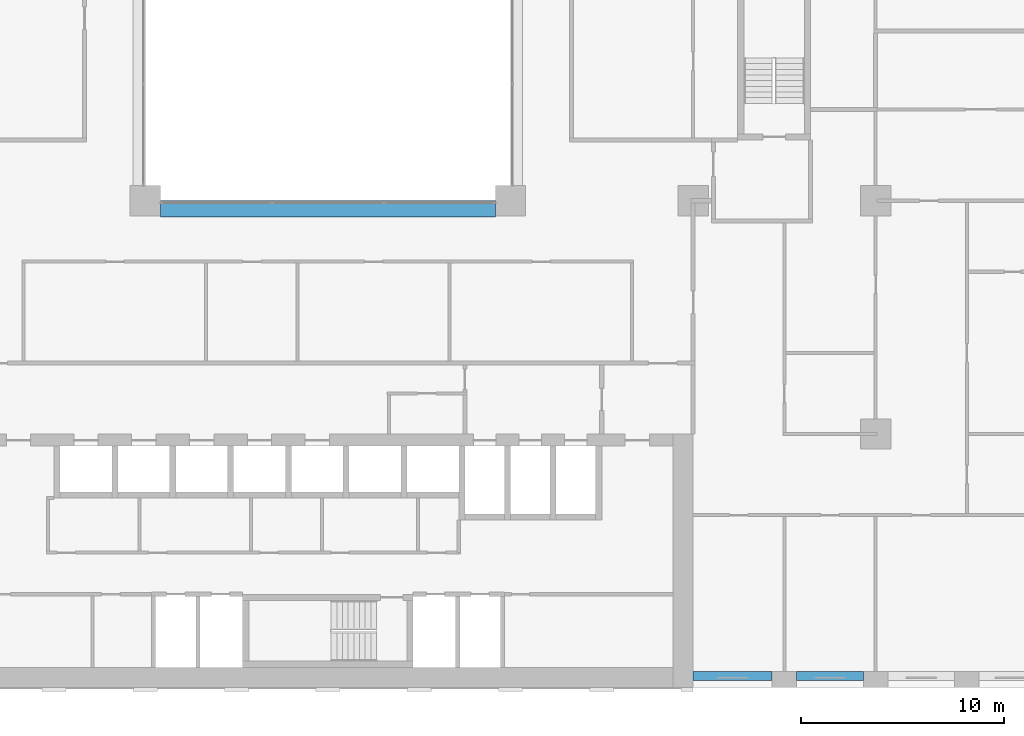
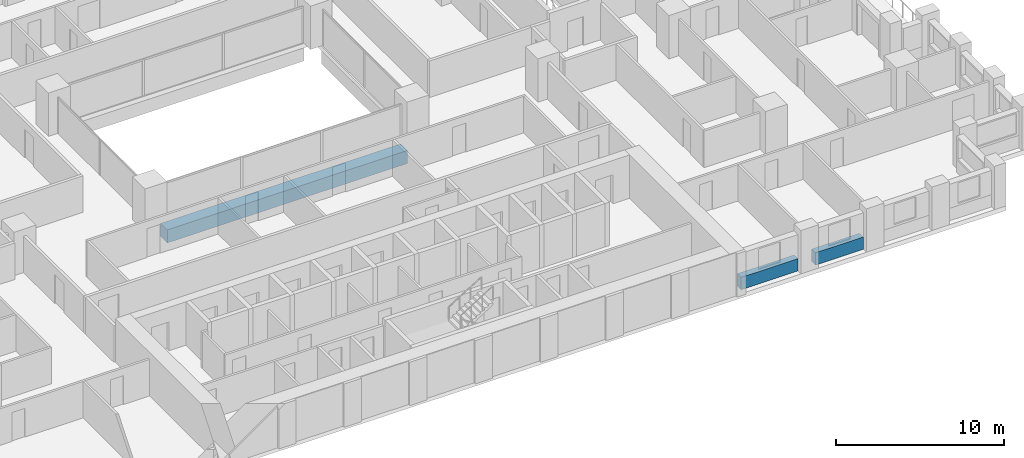
# One storey, part 3 of 20: 3 beams.
"""IFC4 building model written with IfcOpenShell, lengths in metres."""

from ifc_helpers import new_model, si_unit, direction, frame, origin, origin_2d, place, context, subcontext, project, spatial, rectangle, extrude, material, material_profile, profile_set, type_object, element, save


model = new_model("IFC4")

# Units and contexts
model_context = context("Model", 3, precision=1e-05, world=origin(), true_north=direction((0.0, 1.0)))
body_context = subcontext(model_context, "Body", "Model", "MODEL_VIEW")
ifc_project = project(units=[si_unit("LENGTHUNIT", "METRE"), si_unit("AREAUNIT", "SQUARE_METRE"), si_unit("VOLUMEUNIT", "CUBIC_METRE"), si_unit("PLANEANGLEUNIT", "RADIAN"), si_unit("MASSUNIT", "GRAM", prefix="KILO")], contexts=[model_context])

# Site, building, storey
site_placement = place(None, origin())
site = spatial("IfcSite", under=ifc_project, at=site_placement, CompositionType="ELEMENT")
building_placement = place(site_placement, origin())
building = spatial("IfcBuilding", under=site, at=building_placement, Name="Brigalow Station Residences", CompositionType="ELEMENT")
storey_placement = place(building_placement, frame((0.0, 0.0, 69.89990234375)))
storey = spatial("IfcBuildingStorey", under=building, at=storey_placement, Name="L20", CompositionType="ELEMENT", Elevation=69.89990234375)

# Beams
ifc_material_1 = material(Name="Concrete C65", Category="concrete")
ifc_material_profile_1 = material_profile(ifc_material_1, rectangle(XDim=0.800048828125, YDim=0.949951171875, at=origin_2d()), Name="RC800x950")
ifc_profile_set_1 = profile_set([ifc_material_profile_1], Name="Concrete C65")
beam_type_1 = type_object("IfcBeamType", Name="ATRIUM EDGE GIRDER OVER 13.5 M SPAN 800x950 C65", PredefinedType="BEAM", material=ifc_profile_set_1)
beam_1_placement = place(storey_placement, frame((27.75, 23.60009765625, -0.794921875), z_axis=(1.0, 0.0, 0.0), x_axis=(0.0, 1.0, 0.0)))
element("IfcBeam", 1, at=beam_1_placement, inside=storey, type_object=beam_type_1, Name="ATRIUM EDGE GIRDER C L20", PredefinedType="BEAM", context=body_context, shape_type="SweptSolid", body=[
    extrude(rectangle(XDim=0.800048828125, YDim=0.949951171875, at=origin_2d()), origin(), (0.0, 0.0, 1.0), 16.5),
])
ifc_material_2 = material(Name="Concrete C65", Category="concrete")
ifc_material_profile_2 = material_profile(ifc_material_2, rectangle(XDim=0.449951171875, YDim=0.89990234375, at=origin_2d()), Name="RC450x900")
ifc_profile_set_2 = profile_set([ifc_material_profile_2], Name="Concrete C65")
beam_type_2 = type_object("IfcBeamType", Name="SPANDREL BEAM 450x900 C65", PredefinedType="SPANDREL", material=ifc_profile_set_2)
beam_2_placement = place(storey_placement, frame((54.0, 0.574951171875, 0.4501953125), z_axis=(1.0, 0.0, 0.0), x_axis=(0.0, 1.0, 0.0)))
element("IfcBeam", 2, at=beam_2_placement, inside=storey, type_object=beam_type_2, Name="L20/spandrel/W-L20-5", PredefinedType="SPANDREL", context=body_context, shape_type="SweptSolid", body=[
    extrude(rectangle(XDim=0.449951171875, YDim=0.89990234375, at=origin_2d()), origin(), (0.0, 0.0, 1.0), 3.89990234375),
])
beam_3_placement = place(storey_placement, frame((59.10009765625, 0.574951171875, 0.4501953125), z_axis=(1.0, 0.0, 0.0), x_axis=(0.0, 1.0, 0.0)))
element("IfcBeam", 3, at=beam_3_placement, inside=storey, type_object=beam_type_2, Name="L20/spandrel/W-L20-6", PredefinedType="SPANDREL", context=body_context, shape_type="SweptSolid", body=[
    extrude(rectangle(XDim=0.449951171875, YDim=0.89990234375, at=origin_2d()), origin(), (0.0, 0.0, 1.0), 3.2998046875),
])

save(model, "model.ifc")
